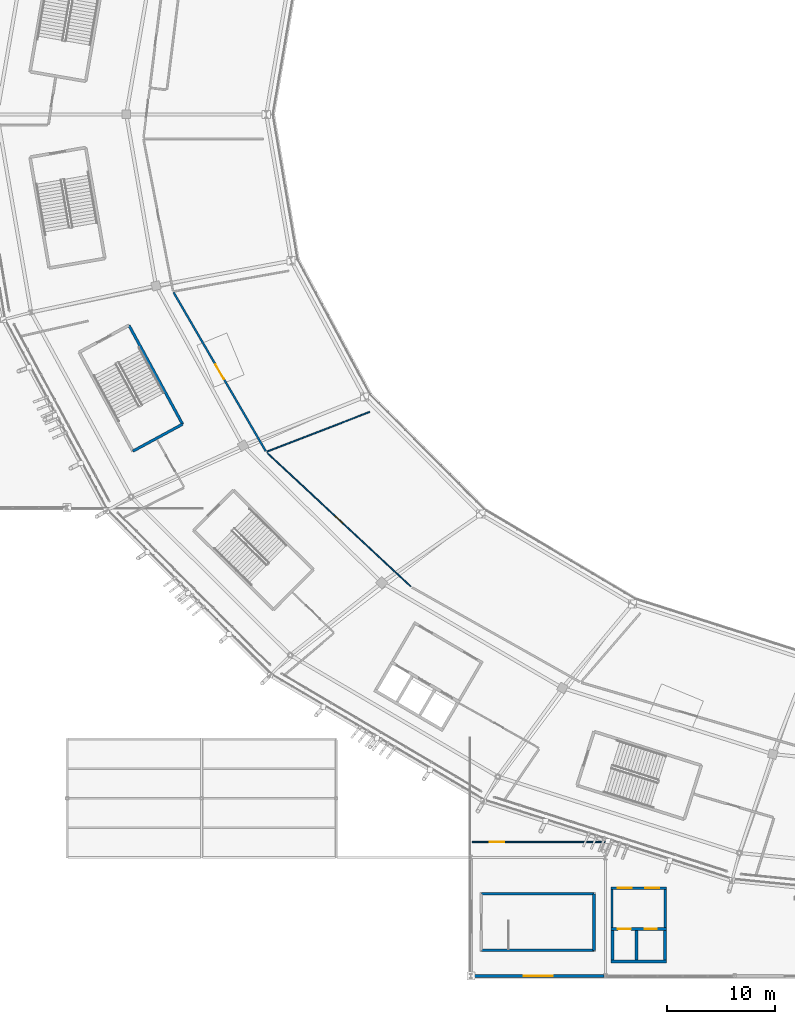
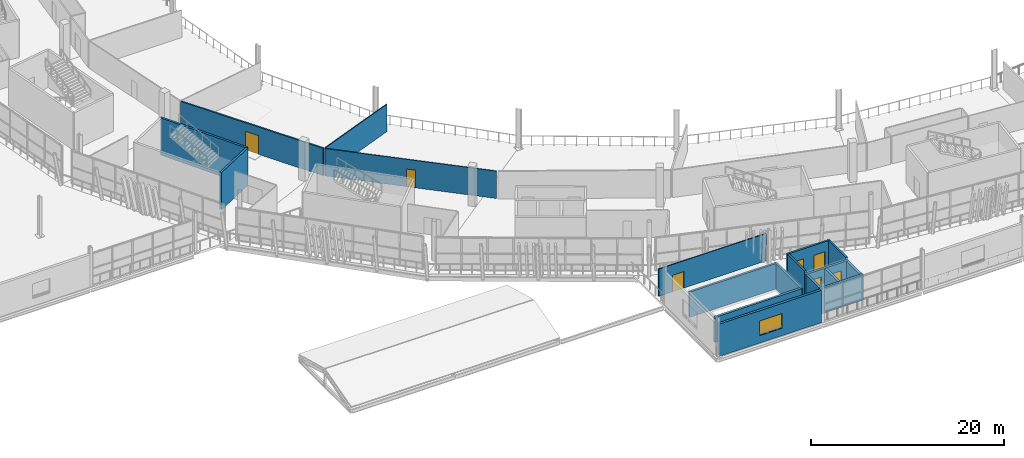
# One storey, part 124 of 179: 18 walls, 7 doors, 1 window, 8 openings.
"""IFC4 building model written with IfcOpenShell, lengths in metres."""

import ifcopenshell
import ifcopenshell.guid

model = None  # the IFC model being written
_history = None  # IfcOwnerHistory: only IFC2X3 demands one
_inside = {}  # id of a spatial element -> (the spatial element, [elements in it])
_under = {}  # id of a project, library or spatial element -> (it, [spatial elements below it])
_declared = {}  # id of a project -> (the project, [libraries it declares])
_typed = {}  # id of a type object -> (the type object, [elements of that type])
_made_of = {}  # id of a material, layer set ... -> (it, [elements and type objects made of it])


def new_model(schema):
    """Start an empty IFC model of exactly this schema.

    Asked for "IFC4X3", IfcOpenShell would pick the latest addendum, in which some entities
    have other attributes; the version numbers below select the first issue.
    IFC2X3 requires an IfcOwnerHistory on every rooted entity: one is made here for all.
    """
    global model, _history
    if schema == "IFC4X3":
        model = ifcopenshell.file(schema_version=(4, 3, 0, 0))
    else:
        model = ifcopenshell.file(schema=schema)
    _inside.clear()
    _under.clear()
    _declared.clear()
    _typed.clear()
    _made_of.clear()
    _history = None
    if model.schema == "IFC2X3":
        org = make("IfcOrganization", Name="unknown")
        user = make(
            "IfcPersonAndOrganization",
            ThePerson=make("IfcPerson", FamilyName="unknown"),
            TheOrganization=org,
        )
        app = make(
            "IfcApplication",
            ApplicationDeveloper=org,
            Version="unknown",
            ApplicationFullName="unknown",
            ApplicationIdentifier="unknown",
        )
        _history = make(
            "IfcOwnerHistory",
            OwningUser=user,
            OwningApplication=app,
            ChangeAction="ADDED",
            CreationDate=0,
        )
    return model


def make(cls, **values):
    """One entity of the class cls with the attributes given. An attribute that is None is left unset."""
    return model.create_entity(
        cls, **{name: value for name, value in values.items() if value is not None}
    )


def rooted(cls, **values):
    """An entity with a GlobalId (a new one), such as an element, a storey or a relation."""
    return make(cls, GlobalId=ifcopenshell.guid.new(), OwnerHistory=_history, **values)


def si_unit(unit_type, name, prefix=None):
    """IfcSIUnit, for example si_unit("LENGTHUNIT", "METRE", prefix="MILLI")."""
    return make("IfcSIUnit", UnitType=unit_type, Prefix=prefix, Name=name)


def assignment(units):
    """IfcUnitAssignment: the units of a project."""
    return None if units is None else make("IfcUnitAssignment", Units=units)


def point(xyz):
    """IfcCartesianPoint."""
    return None if xyz is None else make("IfcCartesianPoint", Coordinates=xyz)


def direction(xyz):
    """IfcDirection."""
    return None if xyz is None else make("IfcDirection", DirectionRatios=xyz)


def frame(location, z_axis=None, x_axis=None):
    """IfcAxis2Placement3D, a coordinate frame: its origin and axes. An axis left out is left unset."""
    return make(
        "IfcAxis2Placement3D",
        Location=point(location),
        Axis=direction(z_axis),
        RefDirection=direction(x_axis),
    )


def frame_2d(location, x_axis=None):
    """IfcAxis2Placement2D, a coordinate frame in the plane: its origin and x axis."""
    return make(
        "IfcAxis2Placement2D", Location=point(location), RefDirection=direction(x_axis)
    )


def origin():
    """The frame at (0, 0, 0) with its axes left unset."""
    return frame((0.0, 0.0, 0.0))


def place(relative_to, where):
    """IfcLocalPlacement: puts the frame where relative to a parent placement (None: the world)."""
    return make(
        "IfcLocalPlacement", PlacementRelTo=relative_to, RelativePlacement=where
    )


def context(
    kind, dimensions, precision=None, world=None, true_north=None, identifier=None
):
    """IfcGeometricRepresentationContext, for example the 3D "Model" context."""
    return make(
        "IfcGeometricRepresentationContext",
        ContextIdentifier=identifier,
        ContextType=kind,
        CoordinateSpaceDimension=dimensions,
        Precision=precision,
        WorldCoordinateSystem=world,
        TrueNorth=true_north,
    )


def subcontext(parent, identifier, kind, view, scale=None):
    """IfcGeometricRepresentationSubContext, for example "Body" below "Model"."""
    return make(
        "IfcGeometricRepresentationSubContext",
        ContextIdentifier=identifier,
        ContextType=kind,
        ParentContext=parent,
        TargetScale=scale,
        TargetView=view,
    )


def project(units=None, contexts=None):
    """IfcProject with its units and contexts."""
    return rooted(
        "IfcProject",
        Name="project",
        RepresentationContexts=contexts,
        UnitsInContext=assignment(units),
    )


def spatial(cls, under=None, at=None, **own):
    """A site, building, storey or space (cls), placed at a placement, below another one or the project."""
    s = rooted(cls, ObjectPlacement=at, **own)
    if under is not None:
        _under.setdefault(under.id(), (under, []))[1].append(s)
    return s


def profile(cls, at=None, kind="AREA", **sizes):
    """A parametric profile (cls). Its sizes go by their IFC names, for example OverallWidth=200.0."""
    return make(cls, ProfileType=kind, Position=at, **sizes)


def rectangle(**sizes):
    """IfcRectangleProfileDef."""
    return profile("IfcRectangleProfileDef", **sizes)


def extrude(swept, where, along, depth):
    """IfcExtrudedAreaSolid: the profile swept, set in the frame where, extruded along a direction by depth."""
    return make(
        "IfcExtrudedAreaSolid",
        SweptArea=swept,
        Position=where,
        ExtrudedDirection=direction(along),
        Depth=depth,
    )


def shape(context_of_items, identifier, shape_type, items):
    """IfcShapeRepresentation: the items that make up one representation, for example the "Body"."""
    return make(
        "IfcShapeRepresentation",
        ContextOfItems=context_of_items,
        RepresentationIdentifier=identifier,
        RepresentationType=shape_type,
        Items=items,
    )


def material(Name=None, Category=None):
    """IfcMaterial."""
    return make("IfcMaterial", Name=Name, Category=Category)


def layer(
    of_material, thickness, ventilated=None, Name=None, Category=None, Priority=None
):
    """IfcMaterialLayer: one layer of a wall or slab, of a material (None: an air gap)."""
    return make(
        "IfcMaterialLayer",
        Material=of_material,
        LayerThickness=thickness,
        IsVentilated=ventilated,
        Name=Name,
        Category=Category,
        Priority=Priority,
    )


def layer_set(layers, Name=None):
    """IfcMaterialLayerSet."""
    return make("IfcMaterialLayerSet", MaterialLayers=layers, LayerSetName=Name)


def made_of(thing, what):
    """Note that an element or type object is made of a material, layer set ...; save() writes the relation."""
    if what is not None:
        _made_of.setdefault(what.id(), (what, []))[1].append(thing)
    return thing


def type_object(cls, material=None, **own):
    """A type object (cls), such as IfcWallType, which elements share."""
    return made_of(rooted(cls, **own), material)


def element(
    cls,
    number,
    at=None,
    inside=None,
    cuts=None,
    type_object=None,
    material=None,
    context=None,
    identifier="Body",
    shape_type=None,
    held_by="IfcProductDefinitionShape",
    body=None,
    shapes=None,
    **own,
):
    """One element of the class cls, such as IfcWall. Its Tag is "e" and its number.

    at: its placement. inside: the storey or other place that contains it. cuts: it is an
    opening in that element (IfcRelVoidsElement). A single representation is given by context,
    identifier, shape_type and body (its items); several are given by shapes. held_by: the class
    of the entity that holds the representations. save() writes the other relations.
    """
    e = rooted(cls, Tag="e%d" % number, ObjectPlacement=at, **own)
    if body is not None:
        shapes = [shape(context, identifier, shape_type, body)]
    if shapes is not None:
        e.Representation = make(held_by, Representations=shapes)
    if inside is not None:
        _inside.setdefault(inside.id(), (inside, []))[1].append(e)
    if cuts is not None:
        rooted(
            "IfcRelVoidsElement", RelatingBuildingElement=cuts, RelatedOpeningElement=e
        )
    if type_object is not None:
        _typed.setdefault(type_object.id(), (type_object, []))[1].append(e)
    return made_of(e, material)


def fill(opening, filler):
    """IfcRelFillsElement: the door or window that sits in an opening."""
    return rooted(
        "IfcRelFillsElement",
        RelatingOpeningElement=opening,
        RelatedBuildingElement=filler,
    )


def aggregate(whole, parts):
    """IfcRelAggregates: a whole, such as a stair, and the parts it consists of."""
    return rooted("IfcRelAggregates", RelatingObject=whole, RelatedObjects=parts)


def save(model, path):
    """Write the relations noted so far, then the file.

    IfcRelAggregates (storeys below a building ...), IfcRelContainedInSpatialStructure (elements
    in a storey), IfcRelDefinesByType, IfcRelAssociatesMaterial and IfcRelDeclares: one each for
    every whole, place, type object, material and project.
    """
    for whole, parts in _under.values():
        aggregate(whole, parts)
    for where, things in _inside.values():
        rooted(
            "IfcRelContainedInSpatialStructure",
            RelatedElements=things,
            RelatingStructure=where,
        )
    for kind, things in _typed.values():
        rooted("IfcRelDefinesByType", RelatedObjects=things, RelatingType=kind)
    for what, things in _made_of.values():
        rooted("IfcRelAssociatesMaterial", RelatedObjects=things, RelatingMaterial=what)
    for by, libraries in _declared.values():
        rooted("IfcRelDeclares", RelatingContext=by, RelatedDefinitions=libraries)
    model.write(path)


model = new_model("IFC4")

# Units and contexts
model_context = context("Model", 3, precision=1e-05, world=origin(), true_north=direction((0.0, 1.0)))
body_context = subcontext(model_context, "Body", "Model", "MODEL_VIEW")
ifc_project = project(units=[si_unit("LENGTHUNIT", "METRE"), si_unit("AREAUNIT", "SQUARE_METRE"), si_unit("VOLUMEUNIT", "CUBIC_METRE"), si_unit("PLANEANGLEUNIT", "RADIAN"), si_unit("MASSUNIT", "GRAM", prefix="KILO")], contexts=[model_context])

# Site, building, storey
site_placement = place(None, origin())
site = spatial("IfcSite", under=ifc_project, at=site_placement, CompositionType="ELEMENT")
building_placement = place(site_placement, origin())
building = spatial("IfcBuilding", under=site, at=building_placement, Name="Zlatoyarsky Gate Stadium", CompositionType="ELEMENT")
storey_placement = place(building_placement, frame((0.0, 0.0, 10.60009765625)))
storey = spatial("IfcBuildingStorey", under=building, at=storey_placement, Name="L02", CompositionType="ELEMENT", Elevation=10.60009765625)

# Wall
ifc_material_1 = material(Name="Anodised aluminium acoustic operable wall", Category="aluminium")
ifc_layer_1 = layer(ifc_material_1, 0.114990234375)
ifc_layer_set_1 = layer_set([ifc_layer_1], Name="Anodised aluminium acoustic operable wall")
wall_type_1 = type_object("IfcWallType", Name="ACOUSTIC OPERABLE SUITE WALL 115", PredefinedType="MOVABLE", material=ifc_layer_set_1)
wall_1_placement = place(storey_placement, frame((52.603759765625, 52.36962890625, 0.0), z_axis=(0.0, 0.0, 1.0), x_axis=(-0.932925524291, -0.360069390709, 0.0)))
element("IfcWall", 1, at=wall_1_placement, inside=storey, type_object=wall_type_1, Name="L02 interior partition PRT-L02-IRD-14", PredefinedType="MOVABLE", context=body_context, shape_type="SweptSolid", body=[
    extrude(rectangle(XDim=10.216064453125, YDim=0.114990234375, at=frame_2d((5.10791015625, 0.0))), origin(), (0.0, 0.0, 1.0), 3.469970703125),
])

# Wall, opening, door
wall_2_placement = place(storey_placement, frame((62.10498046875, 12.449951171875, 0.0), z_axis=(0.0, 0.0, 1.0), x_axis=(1.0, 0.0, 0.0)))
wall_2 = element("IfcWall", 2, at=wall_2_placement, inside=storey, type_object=wall_type_1, Name="L02 interior partition PRT-L02-V3SC-N1", PredefinedType="MOVABLE", context=body_context, shape_type="SweptSolid", body=[
    extrude(rectangle(XDim=12.876953125, YDim=0.114990234375, at=frame_2d((6.4384765625, 0.0))), origin(), (0.0, 0.0, 1.0), 3.469970703125),
])
opening_1_placement = place(wall_2_placement, frame((1.64990234375, 0.0, 0.0)))
opening_1 = element("IfcOpeningElement", 3, at=opening_1_placement, cuts=wall_2, Name="Opening D-L02-388", PredefinedType="OPENING", context=body_context, shape_type="SweptSolid", body=[
    extrude(rectangle(XDim=1.340087890625, YDim=2.10009765625, at=frame_2d((0.669921875, 1.050048828125))), frame((0.0, 0.0673828125, 0.0), z_axis=(0.0, -1.0, 0.0), x_axis=(1.0, 0.0, 0.0)), (0.0, 0.0, 1.0), 0.135009765625),
])
ifc_material_2 = material(Name="Solid-core oak veneer acoustic door", Category="wood")
door_type_1 = type_object("IfcDoorType", Name="ACOUSTIC INTERIOR DOOR 1340X2100", OperationType="NOTDEFINED", PredefinedType="DOOR", material=ifc_material_2)
door_1_placement = place(opening_1_placement, origin())
door_1 = element("IfcDoor", 4, at=door_1_placement, inside=storey, type_object=door_type_1, Name="L02 room door D-L02-388", OperationType="SINGLE_SWING_RIGHT", OverallHeight=2.10009765625, OverallWidth=1.340087890625, PredefinedType="DOOR", context=body_context, shape_type="SweptSolid", body=[
    extrude(rectangle(XDim=1.340087890625, YDim=2.10009765625, at=frame_2d((0.669921875, 1.050048828125))), frame((0.0, 0.02490234375, 0.0), z_axis=(0.0, -1.0, 0.0), x_axis=(1.0, 0.0, 0.0)), (0.0, 0.0, 1.0), 0.050048828125),
])
fill(opening_1, door_1)

# Walls
ifc_material_3 = material(Name="Concrete C40/50", Category="concrete")
ifc_layer_2 = layer(ifc_material_3, 0.27001953125)
ifc_layer_set_2 = layer_set([ifc_layer_2], Name="Concrete C40/50")
wall_type_2 = type_object("IfcWallType", Name="CONCRETE LIFT SHAFT SHEAR WALL 270", PredefinedType="SHEAR", material=ifc_layer_set_2)
wall_3_placement = place(storey_placement, frame((75.0, 1.3349609375, 0.0), z_axis=(0.0, 0.0, 1.0), x_axis=(1.0, 0.0, 0.0)))
element("IfcWall", 5, at=wall_3_placement, inside=storey, type_object=wall_type_2, Name="C6 L02 lift shaft rear wall", PredefinedType="SHEAR", context=body_context, shape_type="SweptSolid", body=[
    extrude(rectangle(XDim=5.14990234375, YDim=0.27001953125, at=frame_2d((2.574951171875, 0.0))), origin(), (0.0, 0.0, 1.0), 3.199951171875),
])
for number, where, z_axis, x_axis, name in (
    (6, (75.135009765625, 1.47998046875, 0.0), (0.0, 0.0, 1.0), (0.0, 1.0, 0.0), "C6 L02 lift shaft left wall"),
    (7, (80.014892578125, 1.47998046875, 0.0), (0.0, 0.0, 1.0), (0.0, 1.0, 0.0), "C6 L02 lift shaft right wall"),
    (8, (77.375, 1.47998046875, 0.0), (0.0, 0.0, 1.0), (0.0, 1.0, 0.0), "C6 L02 lift shaft divider 1"),
):
    element("IfcWall", number, at=place(storey_placement, frame(where, z_axis=z_axis, x_axis=x_axis)), inside=storey, type_object=wall_type_2, Name=name, PredefinedType="SHEAR", context=body_context, shape_type="SweptSolid", body=[
        extrude(rectangle(XDim=2.739990234375, YDim=0.27001953125, at=frame_2d((1.3701171875, 0.0))), origin(), (0.0, 0.0, 1.0), 3.199951171875),
    ])

# Wall, openings, doors
wall_4_placement = place(storey_placement, frame((75.0, 4.364990234375, 0.0), z_axis=(0.0, 0.0, 1.0), x_axis=(1.0, 0.0, 0.0)))
wall_4 = element("IfcWall", 9, at=wall_4_placement, inside=storey, type_object=wall_type_2, Name="C6 L02 lift landing front wall", PredefinedType="SHEAR", context=body_context, shape_type="SweptSolid", body=[
    extrude(rectangle(XDim=5.14990234375, YDim=0.27001953125, at=frame_2d((2.574951171875, 0.0))), origin(), (0.0, 0.0, 1.0), 3.199951171875),
])
opening_2_placement = place(wall_4_placement, frame((0.64990234375, 0.0, 0.0)))
opening_2 = element("IfcOpeningElement", 10, at=opening_2_placement, cuts=wall_4, Name="Opening LD-FL-06-L02", PredefinedType="OPENING", context=body_context, shape_type="SweptSolid", body=[
    extrude(rectangle(XDim=1.199951171875, YDim=2.25, at=frame_2d((0.60009765625, 1.125))), frame((0.0, 0.14501953125, 0.0), z_axis=(0.0, -1.0, 0.0), x_axis=(1.0, 0.0, 0.0)), (0.0, 0.0, 1.0), 0.2900390625),
])
opening_3_placement = place(wall_4_placement, frame((3.14990234375, 0.0, 0.0)))
opening_3 = element("IfcOpeningElement", 11, at=opening_3_placement, cuts=wall_4, Name="Opening LD-LF-10-L02", PredefinedType="OPENING", context=body_context, shape_type="SweptSolid", body=[
    extrude(rectangle(XDim=1.10009765625, YDim=2.199951171875, at=frame_2d((0.550048828125, 1.10009765625))), frame((0.0, 0.14501953125, 0.0), z_axis=(0.0, -1.0, 0.0), x_axis=(1.0, 0.0, 0.0)), (0.0, 0.0, 1.0), 0.2900390625),
])
ifc_material_4 = material(Name="Powder-coated steel fire door", Category="steel")
door_type_2 = type_object("IfcDoorType", Name="STAINLESS LIFT LANDING SLIDING DOOR 1100X2200", OperationType="DOUBLE_DOOR_SLIDING", PredefinedType="DOOR", material=ifc_material_4)
door_2_placement = place(opening_3_placement, origin())
door_2 = element("IfcDoor", 12, at=door_2_placement, inside=storey, type_object=door_type_2, Name="Lift LF-10 L02 sliding landing door", OperationType="DOUBLE_DOOR_SLIDING", OverallHeight=2.199951171875, OverallWidth=1.10009765625, PredefinedType="DOOR", context=body_context, shape_type="SweptSolid", body=[
    extrude(rectangle(XDim=1.10009765625, YDim=2.199951171875, at=frame_2d((0.550048828125, 1.10009765625))), frame((0.0, 0.02490234375, 0.0), z_axis=(0.0, -1.0, 0.0), x_axis=(1.0, 0.0, 0.0)), (0.0, 0.0, 1.0), 0.050048828125),
])
fill(opening_3, door_2)
door_type_3 = type_object("IfcDoorType", Name="STAINLESS LIFT LANDING SLIDING DOOR 1200X2250", OperationType="DOUBLE_DOOR_SLIDING", PredefinedType="DOOR", material=ifc_material_4)
door_3_placement = place(opening_2_placement, origin())
door_3 = element("IfcDoor", 13, at=door_3_placement, inside=storey, type_object=door_type_3, Name="Lift FL-06 L02 sliding landing door", OperationType="DOUBLE_DOOR_SLIDING", OverallHeight=2.25, OverallWidth=1.199951171875, PredefinedType="DOOR", context=body_context, shape_type="SweptSolid", body=[
    extrude(rectangle(XDim=1.199951171875, YDim=2.25, at=frame_2d((0.60009765625, 1.125))), frame((0.0, 0.02490234375, 0.0), z_axis=(0.0, -1.0, 0.0), x_axis=(1.0, 0.0, 0.0)), (0.0, 0.0, 1.0), 0.050048828125),
])
fill(opening_2, door_3)

# Walls
ifc_layer_3 = layer(ifc_material_3, 0.25)
ifc_layer_set_3 = layer_set([ifc_layer_3], Name="Concrete C40/50")
wall_type_3 = type_object("IfcWallType", Name="CONCRETE STAIR CORE SHEAR WALL 250", PredefinedType="SHEAR", material=ifc_layer_set_3)
wall_5_placement = place(storey_placement, frame((30.615234375, 48.731201171875, 0.0), z_axis=(0.0, 0.0, 1.0), x_axis=(0.878961487093, 0.47689275965, 0.0)))
element("IfcWall", 14, at=wall_5_placement, inside=storey, type_object=wall_type_3, Name="ST-15 L02 stair core far shear wall", PredefinedType="SHEAR", context=body_context, shape_type="SweptSolid", body=[
    extrude(rectangle(XDim=5.25, YDim=0.25, at=frame_2d((2.625, 0.0))), origin(), (0.0, 0.0, 1.0), 4.719970703125),
])
wall_6_placement = place(storey_placement, frame((35.229736328125, 51.23486328125, 0.0), z_axis=(0.0, 0.0, 1.0), x_axis=(-0.476876856974, 0.878970115125, 0.0)))
element("IfcWall", 15, at=wall_6_placement, inside=storey, type_object=wall_type_3, Name="ST-15 L02 stair core right shear wall", PredefinedType="SHEAR", context=body_context, shape_type="SweptSolid", body=[
    extrude(rectangle(XDim=10.4501953125, YDim=0.25, at=frame_2d((5.22509765625, 0.0))), origin(), (0.0, 0.0, 1.0), 4.719970703125),
])
wall_7_placement = place(storey_placement, frame((62.97509765625, 2.375, 0.0), z_axis=(0.0, 0.0, 1.0), x_axis=(1.0, 0.0, 0.0)))
element("IfcWall", 16, at=wall_7_placement, inside=storey, type_object=wall_type_3, Name="ST-29 L02 stair core left shear wall", PredefinedType="SHEAR", context=body_context, shape_type="SweptSolid", body=[
    extrude(rectangle(XDim=10.449951171875, YDim=0.25, at=frame_2d((5.22509765625, 0.0))), origin(), (0.0, 0.0, 1.0), 3.199951171875),
])
wall_8_placement = place(storey_placement, frame((73.425048828125, 2.375, 0.0), z_axis=(0.0, 0.0, 1.0), x_axis=(0.0, 1.0, 0.0)))
element("IfcWall", 17, at=wall_8_placement, inside=storey, type_object=wall_type_3, Name="ST-29 L02 stair core far shear wall", PredefinedType="SHEAR", context=body_context, shape_type="SweptSolid", body=[
    extrude(rectangle(XDim=5.25, YDim=0.25, at=frame_2d((2.625, 0.0))), origin(), (0.0, 0.0, 1.0), 3.199951171875),
])
wall_9_placement = place(storey_placement, frame((73.425048828125, 7.625, 0.0), z_axis=(0.0, 0.0, 1.0), x_axis=(-1.0, 0.0, 0.0)))
element("IfcWall", 18, at=wall_9_placement, inside=storey, type_object=wall_type_3, Name="ST-29 L02 stair core right shear wall", PredefinedType="SHEAR", context=body_context, shape_type="SweptSolid", body=[
    extrude(rectangle(XDim=10.449951171875, YDim=0.25, at=frame_2d((5.22509765625, 0.0))), origin(), (0.0, 0.0, 1.0), 3.199951171875),
])
ifc_material_5 = material(Name="Autoclaved aerated concrete masonry EI 120", Category="masonry")
ifc_layer_4 = layer(ifc_material_5, 0.219970703125)
ifc_layer_set_4 = layer_set([ifc_layer_4], Name="Autoclaved aerated concrete masonry EI 120")
wall_type_4 = type_object("IfcWallType", Name="FIREFIGHTING LOBBY RATED WALL 220", PredefinedType="PARTITIONING", material=ifc_layer_set_4)
for number, where, z_axis, x_axis, name in (
    (19, (75.110107421875, 4.52001953125, 0.0), (0.0, 0.0, 1.0), (0.0, 1.0, 0.0), "C6 L02 firefighting lobby left wall"),
    (20, (80.0400390625, 4.52001953125, 0.0), (0.0, 0.0, 1.0), (0.0, 1.0, 0.0), "C6 L02 firefighting lobby right wall"),
):
    element("IfcWall", number, at=place(storey_placement, frame(where, z_axis=z_axis, x_axis=x_axis)), inside=storey, type_object=wall_type_4, Name=name, PredefinedType="PARTITIONING", context=body_context, shape_type="SweptSolid", body=[
        extrude(rectangle(XDim=3.530029296875, YDim=0.219970703125, at=frame_2d((1.76513671875, 0.0))), origin(), (0.0, 0.0, 1.0), 3.469970703125),
    ])

# Wall, openings, doors
wall_10_placement = place(storey_placement, frame((75.0, 8.159912109375, 0.0), z_axis=(0.0, 0.0, 1.0), x_axis=(1.0, 0.0, 0.0)))
wall_10 = element("IfcWall", 21, at=wall_10_placement, inside=storey, type_object=wall_type_4, Name="C6 L02 firefighting lobby front wall", PredefinedType="PARTITIONING", context=body_context, shape_type="SweptSolid", body=[
    extrude(rectangle(XDim=5.14990234375, YDim=0.219970703125, at=frame_2d((2.574951171875, 0.0))), origin(), (0.0, 0.0, 1.0), 3.469970703125),
])
opening_4_placement = place(wall_10_placement, frame((0.64990234375, 0.0, 0.0)))
opening_4 = element("IfcOpeningElement", 22, at=opening_4_placement, cuts=wall_10, Name="Opening FD-C6-L02-A", PredefinedType="OPENING", context=body_context, shape_type="SweptSolid", body=[
    extrude(rectangle(XDim=1.300048828125, YDim=2.199951171875, at=frame_2d((0.64990234375, 1.10009765625))), frame((0.0, 0.119873046875, 0.0), z_axis=(0.0, -1.0, 0.0), x_axis=(1.0, 0.0, 0.0)), (0.0, 0.0, 1.0), 0.239990234375),
])
opening_5_placement = place(wall_10_placement, frame((3.199951171875, 0.0, 0.0)))
opening_5 = element("IfcOpeningElement", 23, at=opening_5_placement, cuts=wall_10, Name="Opening FD-C6-L02-B", PredefinedType="OPENING", context=body_context, shape_type="SweptSolid", body=[
    extrude(rectangle(XDim=1.300048828125, YDim=2.199951171875, at=frame_2d((0.64990234375, 1.10009765625))), frame((0.0, 0.119873046875, 0.0), z_axis=(0.0, -1.0, 0.0), x_axis=(1.0, 0.0, 0.0)), (0.0, 0.0, 1.0), 0.239990234375),
])
door_type_4 = type_object("IfcDoorType", Name="FIREFIGHTING LOBBY FIRE DOOR 1300X2200", OperationType="NOTDEFINED", PredefinedType="DOOR", material=ifc_material_4)
door_4_placement = place(opening_4_placement, origin())
door_4 = element("IfcDoor", 24, at=door_4_placement, inside=storey, type_object=door_type_4, Name="C6 L02 firefighting lobby fire door FD-C6-L02-A", OperationType="SINGLE_SWING_LEFT", OverallHeight=2.199951171875, OverallWidth=1.300048828125, PredefinedType="DOOR", context=body_context, shape_type="SweptSolid", body=[
    extrude(rectangle(XDim=1.300048828125, YDim=2.199951171875, at=frame_2d((0.64990234375, 1.10009765625))), frame((0.0, 0.02490234375, 0.0), z_axis=(0.0, -1.0, 0.0), x_axis=(1.0, 0.0, 0.0)), (0.0, 0.0, 1.0), 0.050048828125),
])
fill(opening_4, door_4)
door_5_placement = place(opening_5_placement, origin())
door_5 = element("IfcDoor", 25, at=door_5_placement, inside=storey, type_object=door_type_4, Name="C6 L02 firefighting lobby fire door FD-C6-L02-B", OperationType="SINGLE_SWING_RIGHT", OverallHeight=2.199951171875, OverallWidth=1.300048828125, PredefinedType="DOOR", context=body_context, shape_type="SweptSolid", body=[
    extrude(rectangle(XDim=1.300048828125, YDim=2.199951171875, at=frame_2d((0.64990234375, 1.10009765625))), frame((0.0, 0.02490234375, 0.0), z_axis=(0.0, -1.0, 0.0), x_axis=(1.0, 0.0, 0.0)), (0.0, 0.0, 1.0), 0.050048828125),
])
fill(opening_5, door_5)

# Wall, opening, door
ifc_material_6 = material(Name="Timber-veneered acoustic operable partition", Category="wood")
ifc_layer_5 = layer(ifc_material_6, 0.094970703125)
ifc_layer_set_5 = layer_set([ifc_layer_5], Name="Timber-veneered acoustic operable partition")
wall_type_5 = type_object("IfcWallType", Name="FOLDING BANQUET SALON WALL 95", PredefinedType="MOVABLE", material=ifc_layer_set_5)
wall_11_placement = place(storey_placement, frame((43.055908203125, 48.602783203125, 0.0), z_axis=(0.0, 0.0, 1.0), x_axis=(0.732007636858, -0.681296425633, 0.0)))
wall_11 = element("IfcWall", 26, at=wall_11_placement, inside=storey, type_object=wall_type_5, Name="L02 interior partition PRT-L02-ICC-14", PredefinedType="MOVABLE", context=body_context, shape_type="SweptSolid", body=[
    extrude(rectangle(XDim=18.246337890625, YDim=0.094970703125, at=frame_2d((9.123046875, 0.0))), origin(), (0.0, 0.0, 1.0), 3.469970703125),
])
opening_6_placement = place(wall_11_placement, frame((8.64306640625, 0.0, 0.0)))
opening_6 = element("IfcOpeningElement", 27, at=opening_6_placement, cuts=wall_11, Name="Opening D-L02-319", PredefinedType="OPENING", context=body_context, shape_type="SweptSolid", body=[
    extrude(rectangle(XDim=0.9599609375, YDim=2.239990234375, at=frame_2d((0.47998046875, 1.1201171875))), frame((0.0, 0.057373046875, 0.0), z_axis=(0.0, -1.0, 0.0), x_axis=(1.0, 0.0, 0.0)), (0.0, 0.0, 1.0), 0.114990234375),
])
door_type_5 = type_object("IfcDoorType", Name="ACOUSTIC INTERIOR DOOR 960X2240", OperationType="NOTDEFINED", PredefinedType="DOOR", material=ifc_material_2)
door_6_placement = place(opening_6_placement, origin())
door_6 = element("IfcDoor", 28, at=door_6_placement, inside=storey, type_object=door_type_5, Name="L02 room door D-L02-319", OperationType="SINGLE_SWING_LEFT", OverallHeight=2.239990234375, OverallWidth=0.9599609375, PredefinedType="DOOR", context=body_context, shape_type="SweptSolid", body=[
    extrude(rectangle(XDim=0.9599609375, YDim=2.239990234375, at=frame_2d((0.47998046875, 1.1201171875))), frame((0.0, 0.02490234375, 0.0), z_axis=(0.0, -1.0, 0.0), x_axis=(1.0, 0.0, 0.0)), (0.0, 0.0, 1.0), 0.050048828125),
])
fill(opening_6, door_6)

# Wall, opening, window
ifc_material_7 = material(Name="Limestone-faced insulated masonry wall", Category="masonry")
ifc_layer_6 = layer(ifc_material_7, 0.300048828125)
ifc_layer_set_6 = layer_set([ifc_layer_6], Name="Limestone-faced insulated masonry wall")
wall_type_6 = type_object("IfcWallType", Name="INSULATED PAVILION FACADE WALL 300", PredefinedType="STANDARD", material=ifc_layer_set_6)
wall_12_placement = place(storey_placement, frame((62.14697265625, 0.0, 0.0), z_axis=(0.0, 0.0, 1.0), x_axis=(1.0, 0.0, 0.0)))
wall_12 = element("IfcWall", 29, at=wall_12_placement, inside=storey, type_object=wall_type_6, Name="V3_SOUTH L02 S exterior wall", PredefinedType="STANDARD", context=body_context, shape_type="SweptSolid", body=[
    extrude(rectangle(XDim=12.2060546875, YDim=0.300048828125, at=frame_2d((6.10302734375, 0.0))), origin(), (0.0, 0.0, 1.0), 4.099853515625),
])
opening_7_placement = place(wall_12_placement, frame((4.7529296875, 0.0, 0.949951171875)))
opening_7 = element("IfcOpeningElement", 30, at=opening_7_placement, cuts=wall_12, Name="Opening WN-23", PredefinedType="OPENING", context=body_context, shape_type="SweptSolid", body=[
    extrude(rectangle(XDim=2.699951171875, YDim=1.85009765625, at=frame_2d((1.35009765625, 0.925048828125))), frame((0.0, 0.159912109375, 0.0), z_axis=(0.0, -1.0, 0.0), x_axis=(1.0, 0.0, 0.0)), (0.0, 0.0, 1.0), 0.320068359375),
])
ifc_material_8 = material(Name="Triple-glazed thermally broken aluminium window", Category="aluminium")
window_type = type_object("IfcWindowType", Name="TRIPLE GLAZED ALUMINIUM WINDOW 2700X1850", PartitioningType="SINGLE_PANEL", PredefinedType="WINDOW", material=ifc_material_8)
window_placement = place(opening_7_placement, origin())
window = element("IfcWindow", 31, at=window_placement, inside=storey, type_object=window_type, Name="Exterior window WIN-L02-023", OverallHeight=1.85009765625, OverallWidth=2.699951171875, PartitioningType="SINGLE_PANEL", PredefinedType="WINDOW", context=body_context, shape_type="SweptSolid", body=[
    extrude(rectangle(XDim=2.699951171875, YDim=1.85009765625, at=frame_2d((1.35009765625, 0.925048828125))), frame((0.0, 0.030029296875, 0.0), z_axis=(0.0, -1.0, 0.0), x_axis=(1.0, 0.0, 0.0)), (0.0, 0.0, 1.0), 0.06005859375),
])
fill(opening_7, window)

# Wall, opening, door
ifc_material_9 = material(Name="Gypsum-clad mineral wool fire partition", Category="gypsum")
ifc_layer_7 = layer(ifc_material_9, 0.179931640625)
ifc_layer_set_7 = layer_set([ifc_layer_7], Name="Gypsum-clad mineral wool fire partition")
wall_type_7 = type_object("IfcWallType", Name="PLANT AND KITCHEN RATED WALL 180", PredefinedType="PARTITIONING", material=ifc_layer_set_7)
wall_13_placement = place(storey_placement, frame((34.393310546875, 63.47802734375, 0.0), z_axis=(0.0, 0.0, 1.0), x_axis=(0.501999042339, -0.864868175788, 0.0)))
wall_13 = element("IfcWall", 32, at=wall_13_placement, inside=storey, type_object=wall_type_7, Name="L02 interior partition PRT-L02-ICC-13", PredefinedType="PARTITIONING", context=body_context, shape_type="SweptSolid", body=[
    extrude(rectangle(XDim=17.047607421875, YDim=0.179931640625, at=frame_2d((8.52392578125, 0.0))), origin(), (0.0, 0.0, 1.0), 3.469970703125),
])
opening_8_placement = place(wall_13_placement, frame((7.743896484375, 0.0, 0.0)))
opening_8 = element("IfcOpeningElement", 33, at=opening_8_placement, cuts=wall_13, Name="Opening D-L02-317", PredefinedType="OPENING", context=body_context, shape_type="SweptSolid", body=[
    extrude(rectangle(XDim=1.56005859375, YDim=2.3798828125, at=frame_2d((0.780029296875, 1.18994140625))), frame((0.0, 0.099853515625, 0.0), z_axis=(0.0, -1.0, 0.0), x_axis=(1.0, 0.0, 0.0)), (0.0, 0.0, 1.0), 0.199951171875),
])
door_type_6 = type_object("IfcDoorType", Name="ACOUSTIC INTERIOR DOOR 1560X2380", OperationType="NOTDEFINED", PredefinedType="DOOR", material=ifc_material_4)
door_7_placement = place(opening_8_placement, origin())
door_7 = element("IfcDoor", 34, at=door_7_placement, inside=storey, type_object=door_type_6, Name="L02 room door D-L02-317", OperationType="SINGLE_SWING_RIGHT", OverallHeight=2.3798828125, OverallWidth=1.56005859375, PredefinedType="DOOR", context=body_context, shape_type="SweptSolid", body=[
    extrude(rectangle(XDim=1.56005859375, YDim=2.3798828125, at=frame_2d((0.780029296875, 1.18994140625))), frame((0.0, 0.02490234375, 0.0), z_axis=(0.0, -1.0, 0.0), x_axis=(1.0, 0.0, 0.0)), (0.0, 0.0, 1.0), 0.050048828125),
])
fill(opening_8, door_7)

save(model, "model.ifc")
